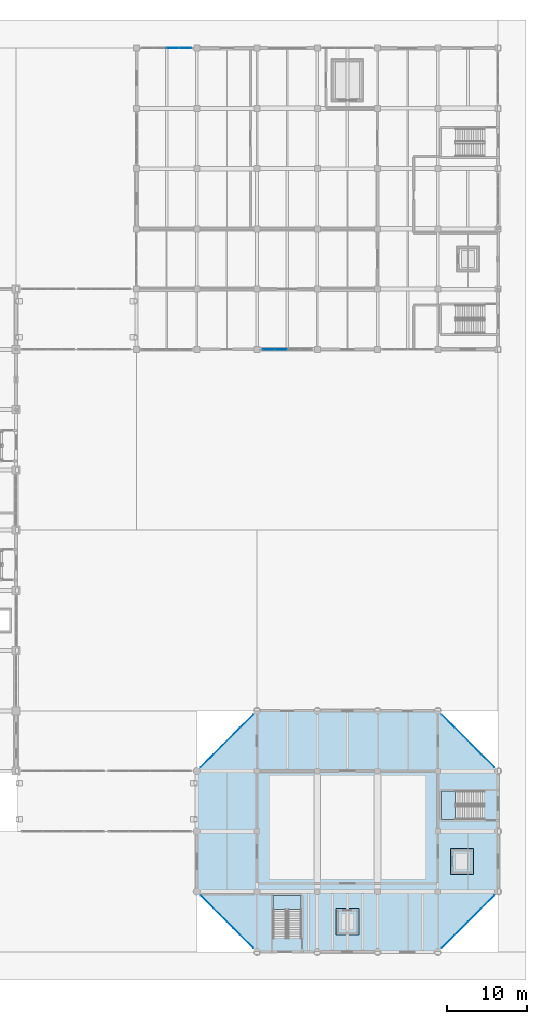
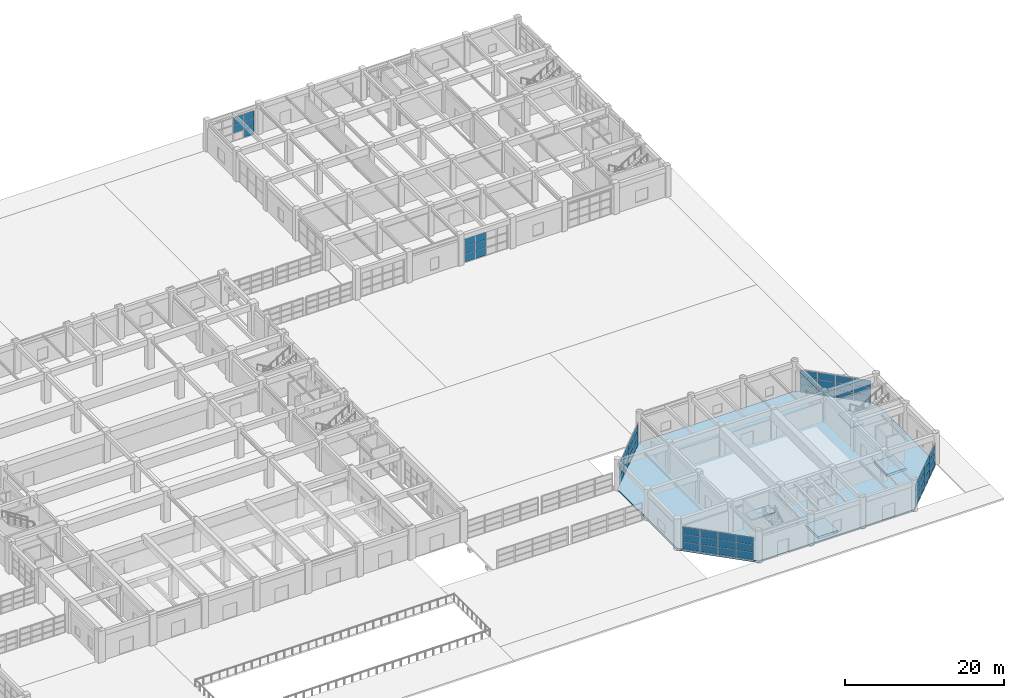
# One storey, part 79 of 122: 59 plates, 5 slabs, 8 elements without a shape of their own.
"""IFC4 building model written with IfcOpenShell, lengths in metres."""

from ifc_helpers import new_model, si_unit, direction, frame, origin, origin_2d, place, context, subcontext, project, spatial, polyline, rectangle, outline, extrude, material, layer, layer_set, type_object, element, aggregate, save


model = new_model("IFC4")

# Units and contexts
model_context = context("Model", 3, precision=1e-05, world=origin(), true_north=direction((0.0, 1.0)))
body_context = subcontext(model_context, "Body", "Model", "MODEL_VIEW")
ifc_project = project(units=[si_unit("LENGTHUNIT", "METRE"), si_unit("AREAUNIT", "SQUARE_METRE"), si_unit("VOLUMEUNIT", "CUBIC_METRE"), si_unit("PLANEANGLEUNIT", "RADIAN"), si_unit("MASSUNIT", "GRAM", prefix="KILO")], contexts=[model_context])

# Site, building, storey
site_placement = place(None, origin())
site = spatial("IfcSite", under=ifc_project, at=site_placement, CompositionType="ELEMENT")
building_placement = place(site_placement, origin())
building = spatial("IfcBuilding", under=site, at=building_placement, Name="Qasida Concert Hall", CompositionType="ELEMENT")
storey_placement = place(building_placement, origin())
storey = spatial("IfcBuildingStorey", under=building, at=storey_placement, Name="L00", CompositionType="ELEMENT", Elevation=0.0)

# Curtain wall, plates
ifc_material_1 = material(Name="Architectural bronze-anodized aluminium and low-E glass", Category="aluminium")
curtain_wall_type_1 = type_object("IfcCurtainWallType", Name="CW-07", PredefinedType="NOTDEFINED", material=ifc_material_1)
curtain_wall_1_placement = place(storey_placement, origin())
curtain_wall_1 = element("IfcCurtainWall", 1, at=curtain_wall_1_placement, inside=storey, type_object=curtain_wall_type_1, Name="L00 curtain wall CW-07 0139", PredefinedType="NOTDEFINED")
ifc_material_2 = material(Name="Solar-control low-E double glazing", Category="glass")
ifc_layer_1 = layer(ifc_material_2, 0.031982421875, Name="Solar-control low-E double glazing")
ifc_layer_set_1 = layer_set([ifc_layer_1], Name="Solar-control low-E double glazing")
plate_type = type_object("IfcPlateType", Name="PLT-CWP-2", PredefinedType="CURTAIN_PANEL", material=ifc_layer_set_1)
plate_1_placement = place(storey_placement, frame((158.77783203125, 1.27783203125, 0.06005859375), z_axis=(0.0, 0.0, 1.0), x_axis=(0.707106781187, 0.707106781187, 0.0)))
plate_1 = element("IfcPlate", 2, at=plate_1_placement, type_object=plate_type, Name="CW-07 panel 1.1", PredefinedType="CURTAIN_PANEL", context=body_context, shape_type="SweptSolid", body=[
    extrude(rectangle(XDim=2.244140625, YDim=0.031982421875, at=origin_2d()), origin(), (0.0, 0.0, 1.0), 1.050048828125),
])
plate_2_placement = place(storey_placement, frame((158.77783203125, 1.27783203125, 1.169921875), z_axis=(0.0, 0.0, 1.0), x_axis=(0.707106781187, 0.707106781187, 0.0)))
plate_2 = element("IfcPlate", 3, at=plate_2_placement, type_object=plate_type, Name="CW-07 panel 1.2", PredefinedType="CURTAIN_PANEL", context=body_context, shape_type="SweptSolid", body=[
    extrude(rectangle(XDim=2.244140625, YDim=0.031982421875, at=origin_2d()), origin(), (0.0, 0.0, 1.0), 1.080078125),
])
plate_3_placement = place(storey_placement, frame((158.77783203125, 1.27783203125, 2.31005859375), z_axis=(0.0, 0.0, 1.0), x_axis=(0.707106781187, 0.707106781187, 0.0)))
plate_3 = element("IfcPlate", 4, at=plate_3_placement, type_object=plate_type, Name="CW-07 panel 1.3", PredefinedType="CURTAIN_PANEL", context=body_context, shape_type="SweptSolid", body=[
    extrude(rectangle(XDim=2.244140625, YDim=0.031982421875, at=origin_2d()), origin(), (0.0, 0.0, 1.0), 1.050048828125),
])
plate_4_placement = place(storey_placement, frame((160.422119140625, 2.922119140625, 0.06005859375), z_axis=(0.0, 0.0, 1.0), x_axis=(0.707106781187, 0.707106781187, 0.0)))
plate_4 = element("IfcPlate", 5, at=plate_4_placement, type_object=plate_type, Name="CW-07 panel 2.1", PredefinedType="CURTAIN_PANEL", context=body_context, shape_type="SweptSolid", body=[
    extrude(rectangle(XDim=2.276611328125, YDim=0.031982421875, at=origin_2d()), origin(), (0.0, 0.0, 1.0), 1.050048828125),
])
plate_5_placement = place(storey_placement, frame((160.422119140625, 2.922119140625, 1.169921875), z_axis=(0.0, 0.0, 1.0), x_axis=(0.707106781187, 0.707106781187, 0.0)))
plate_5 = element("IfcPlate", 6, at=plate_5_placement, type_object=plate_type, Name="CW-07 panel 2.2", PredefinedType="CURTAIN_PANEL", context=body_context, shape_type="SweptSolid", body=[
    extrude(rectangle(XDim=2.276611328125, YDim=0.031982421875, at=origin_2d()), origin(), (0.0, 0.0, 1.0), 1.080078125),
])
plate_6_placement = place(storey_placement, frame((160.422119140625, 2.922119140625, 2.31005859375), z_axis=(0.0, 0.0, 1.0), x_axis=(0.707106781187, 0.707106781187, 0.0)))
plate_6 = element("IfcPlate", 7, at=plate_6_placement, type_object=plate_type, Name="CW-07 panel 2.3", PredefinedType="CURTAIN_PANEL", context=body_context, shape_type="SweptSolid", body=[
    extrude(rectangle(XDim=2.276611328125, YDim=0.031982421875, at=origin_2d()), origin(), (0.0, 0.0, 1.0), 1.050048828125),
])
plate_7_placement = place(storey_placement, frame((162.077880859375, 4.577880859375, 0.06005859375), z_axis=(0.0, 0.0, 1.0), x_axis=(0.707106781187, 0.707106781187, 0.0)))
plate_7 = element("IfcPlate", 8, at=plate_7_placement, type_object=plate_type, Name="CW-07 panel 3.1", PredefinedType="CURTAIN_PANEL", context=body_context, shape_type="SweptSolid", body=[
    extrude(rectangle(XDim=2.276611328125, YDim=0.031982421875, at=origin_2d()), origin(), (0.0, 0.0, 1.0), 1.050048828125),
])
plate_8_placement = place(storey_placement, frame((162.077880859375, 4.577880859375, 1.169921875), z_axis=(0.0, 0.0, 1.0), x_axis=(0.707106781187, 0.707106781187, 0.0)))
plate_8 = element("IfcPlate", 9, at=plate_8_placement, type_object=plate_type, Name="CW-07 panel 3.2", PredefinedType="CURTAIN_PANEL", context=body_context, shape_type="SweptSolid", body=[
    extrude(rectangle(XDim=2.276611328125, YDim=0.031982421875, at=origin_2d()), origin(), (0.0, 0.0, 1.0), 1.080078125),
])
plate_9_placement = place(storey_placement, frame((162.077880859375, 4.577880859375, 2.31005859375), z_axis=(0.0, 0.0, 1.0), x_axis=(0.707106781187, 0.707106781187, 0.0)))
plate_9 = element("IfcPlate", 10, at=plate_9_placement, type_object=plate_type, Name="CW-07 panel 3.3", PredefinedType="CURTAIN_PANEL", context=body_context, shape_type="SweptSolid", body=[
    extrude(rectangle(XDim=2.276611328125, YDim=0.031982421875, at=origin_2d()), origin(), (0.0, 0.0, 1.0), 1.050048828125),
])
plate_10_placement = place(storey_placement, frame((163.72216796875, 6.22216796875, 0.06005859375), z_axis=(0.0, 0.0, 1.0), x_axis=(0.707106781187, 0.707106781187, 0.0)))
plate_10 = element("IfcPlate", 11, at=plate_10_placement, type_object=plate_type, Name="CW-07 panel 4.1", PredefinedType="CURTAIN_PANEL", context=body_context, shape_type="SweptSolid", body=[
    extrude(rectangle(XDim=2.244140625, YDim=0.031982421875, at=origin_2d()), origin(), (0.0, 0.0, 1.0), 1.050048828125),
])
plate_11_placement = place(storey_placement, frame((163.72216796875, 6.22216796875, 1.169921875), z_axis=(0.0, 0.0, 1.0), x_axis=(0.707106781187, 0.707106781187, 0.0)))
plate_11 = element("IfcPlate", 12, at=plate_11_placement, type_object=plate_type, Name="CW-07 panel 4.2", PredefinedType="CURTAIN_PANEL", context=body_context, shape_type="SweptSolid", body=[
    extrude(rectangle(XDim=2.244140625, YDim=0.031982421875, at=origin_2d()), origin(), (0.0, 0.0, 1.0), 1.080078125),
])
plate_12_placement = place(storey_placement, frame((163.72216796875, 6.22216796875, 2.31005859375), z_axis=(0.0, 0.0, 1.0), x_axis=(0.707106781187, 0.707106781187, 0.0)))
plate_12 = element("IfcPlate", 13, at=plate_12_placement, type_object=plate_type, Name="CW-07 panel 4.3", PredefinedType="CURTAIN_PANEL", context=body_context, shape_type="SweptSolid", body=[
    extrude(rectangle(XDim=2.244140625, YDim=0.031982421875, at=origin_2d()), origin(), (0.0, 0.0, 1.0), 1.050048828125),
])
aggregate(curtain_wall_1, [plate_1, plate_2, plate_3, plate_4, plate_5, plate_6, plate_7, plate_8, plate_9, plate_10, plate_11, plate_12])

curtain_wall_2_placement = place(storey_placement, origin())
curtain_wall_2 = element("IfcCurtainWall", 14, at=curtain_wall_2_placement, inside=storey, type_object=curtain_wall_type_1, Name="L00 curtain wall CW-07 0140", PredefinedType="NOTDEFINED")
plate_13_placement = place(storey_placement, frame((163.72216796875, 23.77783203125, 0.06005859375), z_axis=(0.0, 0.0, 1.0), x_axis=(-0.707106781187, 0.707106781187, 0.0)))
plate_13 = element("IfcPlate", 15, at=plate_13_placement, type_object=plate_type, Name="CW-07 panel 1.1", PredefinedType="CURTAIN_PANEL", context=body_context, shape_type="SweptSolid", body=[
    extrude(rectangle(XDim=2.244140625, YDim=0.031982421875, at=origin_2d()), origin(), (0.0, 0.0, 1.0), 1.050048828125),
])
plate_14_placement = place(storey_placement, frame((163.72216796875, 23.77783203125, 1.169921875), z_axis=(0.0, 0.0, 1.0), x_axis=(-0.707106781187, 0.707106781187, 0.0)))
plate_14 = element("IfcPlate", 16, at=plate_14_placement, type_object=plate_type, Name="CW-07 panel 1.2", PredefinedType="CURTAIN_PANEL", context=body_context, shape_type="SweptSolid", body=[
    extrude(rectangle(XDim=2.244140625, YDim=0.031982421875, at=origin_2d()), origin(), (0.0, 0.0, 1.0), 1.080078125),
])
plate_15_placement = place(storey_placement, frame((163.72216796875, 23.77783203125, 2.31005859375), z_axis=(0.0, 0.0, 1.0), x_axis=(-0.707106781187, 0.707106781187, 0.0)))
plate_15 = element("IfcPlate", 17, at=plate_15_placement, type_object=plate_type, Name="CW-07 panel 1.3", PredefinedType="CURTAIN_PANEL", context=body_context, shape_type="SweptSolid", body=[
    extrude(rectangle(XDim=2.244140625, YDim=0.031982421875, at=origin_2d()), origin(), (0.0, 0.0, 1.0), 1.050048828125),
])
plate_16_placement = place(storey_placement, frame((162.077880859375, 25.422119140625, 0.06005859375), z_axis=(0.0, 0.0, 1.0), x_axis=(-0.707106781187, 0.707106781187, 0.0)))
plate_16 = element("IfcPlate", 18, at=plate_16_placement, type_object=plate_type, Name="CW-07 panel 2.1", PredefinedType="CURTAIN_PANEL", context=body_context, shape_type="SweptSolid", body=[
    extrude(rectangle(XDim=2.276611328125, YDim=0.031982421875, at=origin_2d()), origin(), (0.0, 0.0, 1.0), 1.050048828125),
])
plate_17_placement = place(storey_placement, frame((162.077880859375, 25.422119140625, 1.169921875), z_axis=(0.0, 0.0, 1.0), x_axis=(-0.707106781187, 0.707106781187, 0.0)))
plate_17 = element("IfcPlate", 19, at=plate_17_placement, type_object=plate_type, Name="CW-07 panel 2.2", PredefinedType="CURTAIN_PANEL", context=body_context, shape_type="SweptSolid", body=[
    extrude(rectangle(XDim=2.276611328125, YDim=0.031982421875, at=origin_2d()), origin(), (0.0, 0.0, 1.0), 1.080078125),
])
plate_18_placement = place(storey_placement, frame((162.077880859375, 25.422119140625, 2.31005859375), z_axis=(0.0, 0.0, 1.0), x_axis=(-0.707106781187, 0.707106781187, 0.0)))
plate_18 = element("IfcPlate", 20, at=plate_18_placement, type_object=plate_type, Name="CW-07 panel 2.3", PredefinedType="CURTAIN_PANEL", context=body_context, shape_type="SweptSolid", body=[
    extrude(rectangle(XDim=2.276611328125, YDim=0.031982421875, at=origin_2d()), origin(), (0.0, 0.0, 1.0), 1.050048828125),
])
plate_19_placement = place(storey_placement, frame((160.422119140625, 27.077880859375, 0.06005859375), z_axis=(0.0, 0.0, 1.0), x_axis=(-0.707106781187, 0.707106781187, 0.0)))
plate_19 = element("IfcPlate", 21, at=plate_19_placement, type_object=plate_type, Name="CW-07 panel 3.1", PredefinedType="CURTAIN_PANEL", context=body_context, shape_type="SweptSolid", body=[
    extrude(rectangle(XDim=2.276611328125, YDim=0.031982421875, at=origin_2d()), origin(), (0.0, 0.0, 1.0), 1.050048828125),
])
plate_20_placement = place(storey_placement, frame((160.422119140625, 27.077880859375, 1.169921875), z_axis=(0.0, 0.0, 1.0), x_axis=(-0.707106781187, 0.707106781187, 0.0)))
plate_20 = element("IfcPlate", 22, at=plate_20_placement, type_object=plate_type, Name="CW-07 panel 3.2", PredefinedType="CURTAIN_PANEL", context=body_context, shape_type="SweptSolid", body=[
    extrude(rectangle(XDim=2.276611328125, YDim=0.031982421875, at=origin_2d()), origin(), (0.0, 0.0, 1.0), 1.080078125),
])
plate_21_placement = place(storey_placement, frame((160.422119140625, 27.077880859375, 2.31005859375), z_axis=(0.0, 0.0, 1.0), x_axis=(-0.707106781187, 0.707106781187, 0.0)))
plate_21 = element("IfcPlate", 23, at=plate_21_placement, type_object=plate_type, Name="CW-07 panel 3.3", PredefinedType="CURTAIN_PANEL", context=body_context, shape_type="SweptSolid", body=[
    extrude(rectangle(XDim=2.276611328125, YDim=0.031982421875, at=origin_2d()), origin(), (0.0, 0.0, 1.0), 1.050048828125),
])
plate_22_placement = place(storey_placement, frame((158.77783203125, 28.72216796875, 0.06005859375), z_axis=(0.0, 0.0, 1.0), x_axis=(-0.707106781187, 0.707106781187, 0.0)))
plate_22 = element("IfcPlate", 24, at=plate_22_placement, type_object=plate_type, Name="CW-07 panel 4.1", PredefinedType="CURTAIN_PANEL", context=body_context, shape_type="SweptSolid", body=[
    extrude(rectangle(XDim=2.244140625, YDim=0.031982421875, at=origin_2d()), origin(), (0.0, 0.0, 1.0), 1.050048828125),
])
plate_23_placement = place(storey_placement, frame((158.77783203125, 28.72216796875, 1.169921875), z_axis=(0.0, 0.0, 1.0), x_axis=(-0.707106781187, 0.707106781187, 0.0)))
plate_23 = element("IfcPlate", 25, at=plate_23_placement, type_object=plate_type, Name="CW-07 panel 4.2", PredefinedType="CURTAIN_PANEL", context=body_context, shape_type="SweptSolid", body=[
    extrude(rectangle(XDim=2.244140625, YDim=0.031982421875, at=origin_2d()), origin(), (0.0, 0.0, 1.0), 1.080078125),
])
plate_24_placement = place(storey_placement, frame((158.77783203125, 28.72216796875, 2.31005859375), z_axis=(0.0, 0.0, 1.0), x_axis=(-0.707106781187, 0.707106781187, 0.0)))
plate_24 = element("IfcPlate", 26, at=plate_24_placement, type_object=plate_type, Name="CW-07 panel 4.3", PredefinedType="CURTAIN_PANEL", context=body_context, shape_type="SweptSolid", body=[
    extrude(rectangle(XDim=2.244140625, YDim=0.031982421875, at=origin_2d()), origin(), (0.0, 0.0, 1.0), 1.050048828125),
])
aggregate(curtain_wall_2, [plate_13, plate_14, plate_15, plate_16, plate_17, plate_18, plate_19, plate_20, plate_21, plate_22, plate_23, plate_24])

curtain_wall_3_placement = place(storey_placement, origin())
curtain_wall_3 = element("IfcCurtainWall", 27, at=curtain_wall_3_placement, inside=storey, type_object=curtain_wall_type_1, Name="L00 curtain wall CW-07 0141", PredefinedType="NOTDEFINED")
plate_25_placement = place(storey_placement, frame((133.72216796875, 28.72216796875, 0.06005859375), z_axis=(0.0, 0.0, 1.0), x_axis=(-0.707106781187, -0.707106781187, 0.0)))
plate_25 = element("IfcPlate", 28, at=plate_25_placement, type_object=plate_type, Name="CW-07 panel 1.1", PredefinedType="CURTAIN_PANEL", context=body_context, shape_type="SweptSolid", body=[
    extrude(rectangle(XDim=2.244140625, YDim=0.031982421875, at=origin_2d()), origin(), (0.0, 0.0, 1.0), 1.050048828125),
])
plate_26_placement = place(storey_placement, frame((133.72216796875, 28.72216796875, 1.169921875), z_axis=(0.0, 0.0, 1.0), x_axis=(-0.707106781187, -0.707106781187, 0.0)))
plate_26 = element("IfcPlate", 29, at=plate_26_placement, type_object=plate_type, Name="CW-07 panel 1.2", PredefinedType="CURTAIN_PANEL", context=body_context, shape_type="SweptSolid", body=[
    extrude(rectangle(XDim=2.244140625, YDim=0.031982421875, at=origin_2d()), origin(), (0.0, 0.0, 1.0), 1.080078125),
])
plate_27_placement = place(storey_placement, frame((133.72216796875, 28.72216796875, 2.31005859375), z_axis=(0.0, 0.0, 1.0), x_axis=(-0.707106781187, -0.707106781187, 0.0)))
plate_27 = element("IfcPlate", 30, at=plate_27_placement, type_object=plate_type, Name="CW-07 panel 1.3", PredefinedType="CURTAIN_PANEL", context=body_context, shape_type="SweptSolid", body=[
    extrude(rectangle(XDim=2.244140625, YDim=0.031982421875, at=origin_2d()), origin(), (0.0, 0.0, 1.0), 1.050048828125),
])
plate_28_placement = place(storey_placement, frame((132.077880859375, 27.077880859375, 0.06005859375), z_axis=(0.0, 0.0, 1.0), x_axis=(-0.707106781187, -0.707106781187, 0.0)))
plate_28 = element("IfcPlate", 31, at=plate_28_placement, type_object=plate_type, Name="CW-07 panel 2.1", PredefinedType="CURTAIN_PANEL", context=body_context, shape_type="SweptSolid", body=[
    extrude(rectangle(XDim=2.276611328125, YDim=0.031982421875, at=origin_2d()), origin(), (0.0, 0.0, 1.0), 1.050048828125),
])
plate_29_placement = place(storey_placement, frame((132.077880859375, 27.077880859375, 1.169921875), z_axis=(0.0, 0.0, 1.0), x_axis=(-0.707106781187, -0.707106781187, 0.0)))
plate_29 = element("IfcPlate", 32, at=plate_29_placement, type_object=plate_type, Name="CW-07 panel 2.2", PredefinedType="CURTAIN_PANEL", context=body_context, shape_type="SweptSolid", body=[
    extrude(rectangle(XDim=2.276611328125, YDim=0.031982421875, at=origin_2d()), origin(), (0.0, 0.0, 1.0), 1.080078125),
])
plate_30_placement = place(storey_placement, frame((132.077880859375, 27.077880859375, 2.31005859375), z_axis=(0.0, 0.0, 1.0), x_axis=(-0.707106781187, -0.707106781187, 0.0)))
plate_30 = element("IfcPlate", 33, at=plate_30_placement, type_object=plate_type, Name="CW-07 panel 2.3", PredefinedType="CURTAIN_PANEL", context=body_context, shape_type="SweptSolid", body=[
    extrude(rectangle(XDim=2.276611328125, YDim=0.031982421875, at=origin_2d()), origin(), (0.0, 0.0, 1.0), 1.050048828125),
])
plate_31_placement = place(storey_placement, frame((130.422119140625, 25.422119140625, 0.06005859375), z_axis=(0.0, 0.0, 1.0), x_axis=(-0.707106781187, -0.707106781187, 0.0)))
plate_31 = element("IfcPlate", 34, at=plate_31_placement, type_object=plate_type, Name="CW-07 panel 3.1", PredefinedType="CURTAIN_PANEL", context=body_context, shape_type="SweptSolid", body=[
    extrude(rectangle(XDim=2.276611328125, YDim=0.031982421875, at=origin_2d()), origin(), (0.0, 0.0, 1.0), 1.050048828125),
])
plate_32_placement = place(storey_placement, frame((130.422119140625, 25.422119140625, 1.169921875), z_axis=(0.0, 0.0, 1.0), x_axis=(-0.707106781187, -0.707106781187, 0.0)))
plate_32 = element("IfcPlate", 35, at=plate_32_placement, type_object=plate_type, Name="CW-07 panel 3.2", PredefinedType="CURTAIN_PANEL", context=body_context, shape_type="SweptSolid", body=[
    extrude(rectangle(XDim=2.276611328125, YDim=0.031982421875, at=origin_2d()), origin(), (0.0, 0.0, 1.0), 1.080078125),
])
plate_33_placement = place(storey_placement, frame((130.422119140625, 25.422119140625, 2.31005859375), z_axis=(0.0, 0.0, 1.0), x_axis=(-0.707106781187, -0.707106781187, 0.0)))
plate_33 = element("IfcPlate", 36, at=plate_33_placement, type_object=plate_type, Name="CW-07 panel 3.3", PredefinedType="CURTAIN_PANEL", context=body_context, shape_type="SweptSolid", body=[
    extrude(rectangle(XDim=2.276611328125, YDim=0.031982421875, at=origin_2d()), origin(), (0.0, 0.0, 1.0), 1.050048828125),
])
plate_34_placement = place(storey_placement, frame((128.77783203125, 23.77783203125, 0.06005859375), z_axis=(0.0, 0.0, 1.0), x_axis=(-0.707106781187, -0.707106781187, 0.0)))
plate_34 = element("IfcPlate", 37, at=plate_34_placement, type_object=plate_type, Name="CW-07 panel 4.1", PredefinedType="CURTAIN_PANEL", context=body_context, shape_type="SweptSolid", body=[
    extrude(rectangle(XDim=2.244140625, YDim=0.031982421875, at=origin_2d()), origin(), (0.0, 0.0, 1.0), 1.050048828125),
])
plate_35_placement = place(storey_placement, frame((128.77783203125, 23.77783203125, 1.169921875), z_axis=(0.0, 0.0, 1.0), x_axis=(-0.707106781187, -0.707106781187, 0.0)))
plate_35 = element("IfcPlate", 38, at=plate_35_placement, type_object=plate_type, Name="CW-07 panel 4.2", PredefinedType="CURTAIN_PANEL", context=body_context, shape_type="SweptSolid", body=[
    extrude(rectangle(XDim=2.244140625, YDim=0.031982421875, at=origin_2d()), origin(), (0.0, 0.0, 1.0), 1.080078125),
])
plate_36_placement = place(storey_placement, frame((128.77783203125, 23.77783203125, 2.31005859375), z_axis=(0.0, 0.0, 1.0), x_axis=(-0.707106781187, -0.707106781187, 0.0)))
plate_36 = element("IfcPlate", 39, at=plate_36_placement, type_object=plate_type, Name="CW-07 panel 4.3", PredefinedType="CURTAIN_PANEL", context=body_context, shape_type="SweptSolid", body=[
    extrude(rectangle(XDim=2.244140625, YDim=0.031982421875, at=origin_2d()), origin(), (0.0, 0.0, 1.0), 1.050048828125),
])
aggregate(curtain_wall_3, [plate_25, plate_26, plate_27, plate_28, plate_29, plate_30, plate_31, plate_32, plate_33, plate_34, plate_35, plate_36])

curtain_wall_4_placement = place(storey_placement, origin())
curtain_wall_4 = element("IfcCurtainWall", 40, at=curtain_wall_4_placement, inside=storey, type_object=curtain_wall_type_1, Name="L00 curtain wall CW-07 0142", PredefinedType="NOTDEFINED")
plate_37_placement = place(storey_placement, frame((128.77783203125, 6.22216796875, 0.06005859375), z_axis=(0.0, 0.0, 1.0), x_axis=(0.707106781187, -0.707106781187, 0.0)))
plate_37 = element("IfcPlate", 41, at=plate_37_placement, type_object=plate_type, Name="CW-07 panel 1.1", PredefinedType="CURTAIN_PANEL", context=body_context, shape_type="SweptSolid", body=[
    extrude(rectangle(XDim=2.244140625, YDim=0.031982421875, at=origin_2d()), origin(), (0.0, 0.0, 1.0), 1.083251953125),
])
plate_38_placement = place(storey_placement, frame((128.77783203125, 6.22216796875, 1.203369140625), z_axis=(0.0, 0.0, 1.0), x_axis=(0.707106781187, -0.707106781187, 0.0)))
plate_38 = element("IfcPlate", 42, at=plate_38_placement, type_object=plate_type, Name="CW-07 panel 1.2", PredefinedType="CURTAIN_PANEL", context=body_context, shape_type="SweptSolid", body=[
    extrude(rectangle(XDim=2.244140625, YDim=0.031982421875, at=origin_2d()), origin(), (0.0, 0.0, 1.0), 1.11328125),
])
plate_39_placement = place(storey_placement, frame((128.77783203125, 6.22216796875, 2.376953125), z_axis=(0.0, 0.0, 1.0), x_axis=(0.707106781187, -0.707106781187, 0.0)))
plate_39 = element("IfcPlate", 43, at=plate_39_placement, type_object=plate_type, Name="CW-07 panel 1.3", PredefinedType="CURTAIN_PANEL", context=body_context, shape_type="SweptSolid", body=[
    extrude(rectangle(XDim=2.244140625, YDim=0.031982421875, at=origin_2d()), origin(), (0.0, 0.0, 1.0), 1.083251953125),
])
plate_40_placement = place(storey_placement, frame((130.422119140625, 4.577880859375, 0.06005859375), z_axis=(0.0, 0.0, 1.0), x_axis=(0.707106781187, -0.707106781187, 0.0)))
plate_40 = element("IfcPlate", 44, at=plate_40_placement, type_object=plate_type, Name="CW-07 panel 2.1", PredefinedType="CURTAIN_PANEL", context=body_context, shape_type="SweptSolid", body=[
    extrude(rectangle(XDim=2.276611328125, YDim=0.031982421875, at=origin_2d()), origin(), (0.0, 0.0, 1.0), 1.083251953125),
])
plate_41_placement = place(storey_placement, frame((130.422119140625, 4.577880859375, 1.203369140625), z_axis=(0.0, 0.0, 1.0), x_axis=(0.707106781187, -0.707106781187, 0.0)))
plate_41 = element("IfcPlate", 45, at=plate_41_placement, type_object=plate_type, Name="CW-07 panel 2.2", PredefinedType="CURTAIN_PANEL", context=body_context, shape_type="SweptSolid", body=[
    extrude(rectangle(XDim=2.276611328125, YDim=0.031982421875, at=origin_2d()), origin(), (0.0, 0.0, 1.0), 1.11328125),
])
plate_42_placement = place(storey_placement, frame((130.422119140625, 4.577880859375, 2.376953125), z_axis=(0.0, 0.0, 1.0), x_axis=(0.707106781187, -0.707106781187, 0.0)))
plate_42 = element("IfcPlate", 46, at=plate_42_placement, type_object=plate_type, Name="CW-07 panel 2.3", PredefinedType="CURTAIN_PANEL", context=body_context, shape_type="SweptSolid", body=[
    extrude(rectangle(XDim=2.276611328125, YDim=0.031982421875, at=origin_2d()), origin(), (0.0, 0.0, 1.0), 1.083251953125),
])
plate_43_placement = place(storey_placement, frame((132.077880859375, 2.922119140625, 0.06005859375), z_axis=(0.0, 0.0, 1.0), x_axis=(0.707106781187, -0.707106781187, 0.0)))
plate_43 = element("IfcPlate", 47, at=plate_43_placement, type_object=plate_type, Name="CW-07 panel 3.1", PredefinedType="CURTAIN_PANEL", context=body_context, shape_type="SweptSolid", body=[
    extrude(rectangle(XDim=2.276611328125, YDim=0.031982421875, at=origin_2d()), origin(), (0.0, 0.0, 1.0), 1.083251953125),
])
plate_44_placement = place(storey_placement, frame((132.077880859375, 2.922119140625, 1.203369140625), z_axis=(0.0, 0.0, 1.0), x_axis=(0.707106781187, -0.707106781187, 0.0)))
plate_44 = element("IfcPlate", 48, at=plate_44_placement, type_object=plate_type, Name="CW-07 panel 3.2", PredefinedType="CURTAIN_PANEL", context=body_context, shape_type="SweptSolid", body=[
    extrude(rectangle(XDim=2.276611328125, YDim=0.031982421875, at=origin_2d()), origin(), (0.0, 0.0, 1.0), 1.11328125),
])
plate_45_placement = place(storey_placement, frame((132.077880859375, 2.922119140625, 2.376953125), z_axis=(0.0, 0.0, 1.0), x_axis=(0.707106781187, -0.707106781187, 0.0)))
plate_45 = element("IfcPlate", 49, at=plate_45_placement, type_object=plate_type, Name="CW-07 panel 3.3", PredefinedType="CURTAIN_PANEL", context=body_context, shape_type="SweptSolid", body=[
    extrude(rectangle(XDim=2.276611328125, YDim=0.031982421875, at=origin_2d()), origin(), (0.0, 0.0, 1.0), 1.083251953125),
])
plate_46_placement = place(storey_placement, frame((133.72216796875, 1.27783203125, 0.06005859375), z_axis=(0.0, 0.0, 1.0), x_axis=(0.707106781187, -0.707106781187, 0.0)))
plate_46 = element("IfcPlate", 50, at=plate_46_placement, type_object=plate_type, Name="CW-07 panel 4.1", PredefinedType="CURTAIN_PANEL", context=body_context, shape_type="SweptSolid", body=[
    extrude(rectangle(XDim=2.244140625, YDim=0.031982421875, at=origin_2d()), origin(), (0.0, 0.0, 1.0), 1.083251953125),
])
plate_47_placement = place(storey_placement, frame((133.72216796875, 1.27783203125, 1.203369140625), z_axis=(0.0, 0.0, 1.0), x_axis=(0.707106781187, -0.707106781187, 0.0)))
plate_47 = element("IfcPlate", 51, at=plate_47_placement, type_object=plate_type, Name="CW-07 panel 4.2", PredefinedType="CURTAIN_PANEL", context=body_context, shape_type="SweptSolid", body=[
    extrude(rectangle(XDim=2.244140625, YDim=0.031982421875, at=origin_2d()), origin(), (0.0, 0.0, 1.0), 1.11328125),
])
plate_48_placement = place(storey_placement, frame((133.72216796875, 1.27783203125, 2.376953125), z_axis=(0.0, 0.0, 1.0), x_axis=(0.707106781187, -0.707106781187, 0.0)))
plate_48 = element("IfcPlate", 52, at=plate_48_placement, type_object=plate_type, Name="CW-07 panel 4.3", PredefinedType="CURTAIN_PANEL", context=body_context, shape_type="SweptSolid", body=[
    extrude(rectangle(XDim=2.244140625, YDim=0.031982421875, at=origin_2d()), origin(), (0.0, 0.0, 1.0), 1.083251953125),
])
aggregate(curtain_wall_4, [plate_37, plate_38, plate_39, plate_40, plate_41, plate_42, plate_43, plate_44, plate_45, plate_46, plate_47, plate_48])

curtain_wall_type_2 = type_object("IfcCurtainWallType", Name="CW-04", PredefinedType="NOTDEFINED", material=ifc_material_1)
curtain_wall_5_placement = place(storey_placement, origin())
curtain_wall_5 = element("IfcCurtainWall", 53, at=curtain_wall_5_placement, inside=storey, type_object=curtain_wall_type_2, Name="L00 curtain wall CW-04 0152", PredefinedType="NOTDEFINED")
plate_49_placement = place(storey_placement, frame((124.532470703125, 112.5, 1.27001953125), z_axis=(0.0, 0.0, 1.0), x_axis=(1.0, 0.0, 0.0)))
plate_49 = element("IfcPlate", 54, at=plate_49_placement, type_object=plate_type, Name="CW-04 panel 3.2", PredefinedType="CURTAIN_PANEL", context=body_context, shape_type="SweptSolid", body=[
    extrude(rectangle(XDim=1.5, YDim=0.031982421875, at=origin_2d()), origin(), (0.0, 0.0, 1.0), 1.179931640625),
])
plate_50_placement = place(storey_placement, frame((124.532470703125, 112.5, 2.510009765625), z_axis=(0.0, 0.0, 1.0), x_axis=(1.0, 0.0, 0.0)))
plate_50 = element("IfcPlate", 55, at=plate_50_placement, type_object=plate_type, Name="CW-04 panel 3.3", PredefinedType="CURTAIN_PANEL", context=body_context, shape_type="SweptSolid", body=[
    extrude(rectangle(XDim=1.5, YDim=0.031982421875, at=origin_2d()), origin(), (0.0, 0.0, 1.0), 1.14990234375),
])
plate_51_placement = place(storey_placement, frame((126.081298828125, 112.5, 0.06005859375), z_axis=(0.0, 0.0, 1.0), x_axis=(1.0, 0.0, 0.0)))
plate_51 = element("IfcPlate", 56, at=plate_51_placement, type_object=plate_type, Name="CW-04 panel 4.1", PredefinedType="CURTAIN_PANEL", context=body_context, shape_type="SweptSolid", body=[
    extrude(rectangle(XDim=1.467529296875, YDim=0.031982421875, at=origin_2d()), origin(), (0.0, 0.0, 1.0), 1.14990234375),
])
plate_52_placement = place(storey_placement, frame((126.081298828125, 112.5, 1.27001953125), z_axis=(0.0, 0.0, 1.0), x_axis=(1.0, 0.0, 0.0)))
plate_52 = element("IfcPlate", 57, at=plate_52_placement, type_object=plate_type, Name="CW-04 panel 4.2", PredefinedType="CURTAIN_PANEL", context=body_context, shape_type="SweptSolid", body=[
    extrude(rectangle(XDim=1.467529296875, YDim=0.031982421875, at=origin_2d()), origin(), (0.0, 0.0, 1.0), 1.179931640625),
])
plate_53_placement = place(storey_placement, frame((126.081298828125, 112.5, 2.510009765625), z_axis=(0.0, 0.0, 1.0), x_axis=(1.0, 0.0, 0.0)))
plate_53 = element("IfcPlate", 58, at=plate_53_placement, type_object=plate_type, Name="CW-04 panel 4.3", PredefinedType="CURTAIN_PANEL", context=body_context, shape_type="SweptSolid", body=[
    extrude(rectangle(XDim=1.467529296875, YDim=0.031982421875, at=origin_2d()), origin(), (0.0, 0.0, 1.0), 1.14990234375),
])
aggregate(curtain_wall_5, [plate_49, plate_50, plate_51, plate_52, plate_53])

curtain_wall_type_3 = type_object("IfcCurtainWallType", Name="CW-03", PredefinedType="NOTDEFINED", material=ifc_material_1)
curtain_wall_6_placement = place(storey_placement, origin())
curtain_wall_6 = element("IfcCurtainWall", 59, at=curtain_wall_6_placement, inside=storey, type_object=curtain_wall_type_3, Name="L00 curtain wall CW-03 0153", PredefinedType="NOTDEFINED")
plate_54_placement = place(storey_placement, frame((136.418701171875, 75.0, 0.06005859375), z_axis=(0.0, 0.0, 1.0), x_axis=(1.0, 0.0, 0.0)))
plate_54 = element("IfcPlate", 60, at=plate_54_placement, type_object=plate_type, Name="CW-03 panel 1.1", PredefinedType="CURTAIN_PANEL", context=body_context, shape_type="SweptSolid", body=[
    extrude(rectangle(XDim=1.467529296875, YDim=0.031982421875, at=origin_2d()), origin(), (0.0, 0.0, 1.0), 1.14990234375),
])
plate_55_placement = place(storey_placement, frame((136.418701171875, 75.0, 1.27001953125), z_axis=(0.0, 0.0, 1.0), x_axis=(1.0, 0.0, 0.0)))
plate_55 = element("IfcPlate", 61, at=plate_55_placement, type_object=plate_type, Name="CW-03 panel 1.2", PredefinedType="CURTAIN_PANEL", context=body_context, shape_type="SweptSolid", body=[
    extrude(rectangle(XDim=1.467529296875, YDim=0.031982421875, at=origin_2d()), origin(), (0.0, 0.0, 1.0), 1.179931640625),
])
plate_56_placement = place(storey_placement, frame((136.418701171875, 75.0, 2.510009765625), z_axis=(0.0, 0.0, 1.0), x_axis=(1.0, 0.0, 0.0)))
plate_56 = element("IfcPlate", 62, at=plate_56_placement, type_object=plate_type, Name="CW-03 panel 1.3", PredefinedType="CURTAIN_PANEL", context=body_context, shape_type="SweptSolid", body=[
    extrude(rectangle(XDim=1.467529296875, YDim=0.031982421875, at=origin_2d()), origin(), (0.0, 0.0, 1.0), 1.14990234375),
])
plate_57_placement = place(storey_placement, frame((137.967529296875, 75.0, 0.06005859375), z_axis=(0.0, 0.0, 1.0), x_axis=(1.0, 0.0, 0.0)))
plate_57 = element("IfcPlate", 63, at=plate_57_placement, type_object=plate_type, Name="CW-03 panel 2.1", PredefinedType="CURTAIN_PANEL", context=body_context, shape_type="SweptSolid", body=[
    extrude(rectangle(XDim=1.5, YDim=0.031982421875, at=origin_2d()), origin(), (0.0, 0.0, 1.0), 1.14990234375),
])
plate_58_placement = place(storey_placement, frame((137.967529296875, 75.0, 1.27001953125), z_axis=(0.0, 0.0, 1.0), x_axis=(1.0, 0.0, 0.0)))
plate_58 = element("IfcPlate", 64, at=plate_58_placement, type_object=plate_type, Name="CW-03 panel 2.2", PredefinedType="CURTAIN_PANEL", context=body_context, shape_type="SweptSolid", body=[
    extrude(rectangle(XDim=1.5, YDim=0.031982421875, at=origin_2d()), origin(), (0.0, 0.0, 1.0), 1.179931640625),
])
plate_59_placement = place(storey_placement, frame((137.967529296875, 75.0, 2.510009765625), z_axis=(0.0, 0.0, 1.0), x_axis=(1.0, 0.0, 0.0)))
plate_59 = element("IfcPlate", 65, at=plate_59_placement, type_object=plate_type, Name="CW-03 panel 2.3", PredefinedType="CURTAIN_PANEL", context=body_context, shape_type="SweptSolid", body=[
    extrude(rectangle(XDim=1.5, YDim=0.031982421875, at=origin_2d()), origin(), (0.0, 0.0, 1.0), 1.14990234375),
])
aggregate(curtain_wall_6, [plate_54, plate_55, plate_56, plate_57, plate_58, plate_59])

# Slabs
ifc_material_3 = material(Name="Concrete C40/50", Category="concrete")
ifc_layer_2 = layer(ifc_material_3, 0.3798828125, Name="Concrete C40/50")
ifc_layer_set_2 = layer_set([ifc_layer_2], Name="Concrete C40/50")
slab_type_1 = type_object("IfcSlabType", Name="SL-BS-380", PredefinedType="BASESLAB", material=ifc_layer_set_2)
slab_1_placement = place(storey_placement, frame((0.0, 0.0, -1.39990234375)))
element("IfcSlab", 66, at=slab_1_placement, inside=storey, type_object=slab_type_1, Name="Lift pit slab LF-11", PredefinedType="BASESLAB", context=body_context, shape_type="SweptSolid", body=[
    extrude(outline(polyline([(144.830078125, 2.1298828125), (147.669921875, 2.1298828125), (147.669921875, 5.3701171875), (144.830078125, 5.3701171875), (144.830078125, 2.1298828125)])), origin(), (0.0, 0.0, 1.0), 0.3798828125),
])
slab_2_placement = place(storey_placement, frame((0.0, 0.0, -1.39990234375)))
element("IfcSlab", 67, at=slab_2_placement, inside=storey, type_object=slab_type_1, Name="Lift pit slab LF-12", PredefinedType="BASESLAB", context=body_context, shape_type="SweptSolid", body=[
    extrude(outline(polyline([(159.080078125, 9.6298828125), (161.919921875, 9.6298828125), (161.919921875, 12.8701171875), (159.080078125, 12.8701171875), (159.080078125, 9.6298828125)])), origin(), (0.0, 0.0, 1.0), 0.3798828125),
])
ifc_layer_3 = layer(ifc_material_3, 0.280029296875, Name="Concrete C40/50")
ifc_layer_set_3 = layer_set([ifc_layer_3], Name="Concrete C40/50")
slab_type_2 = type_object("IfcSlabType", Name="SL-FS-280", PredefinedType="FLOOR", material=ifc_layer_set_3)
slab_3_placement = place(storey_placement, frame((0.0, 0.0, -0.280029296875)))
element("IfcSlab", 68, at=slab_3_placement, inside=storey, type_object=slab_type_2, Name="V2 chamber parterre (FS-280)", PredefinedType="FLOOR", context=body_context, shape_type="SweptSolid", body=[
    extrude(outline(polyline([(135.0, 0.0), (157.5, 0.0), (165.0, 7.5), (165.0, 22.5), (157.5, 30.0), (135.0, 30.0), (127.5, 22.5), (127.5, 7.5), (135.0, 0.0)])), origin(), (0.0, 0.0, 1.0), 0.280029296875),
])

# Stair, slab
stair_type = type_object("IfcStairType", Name="ST-DL-165", PredefinedType="HALF_TURN_STAIR", material=ifc_material_3)
stair_1_placement = place(storey_placement, origin())
stair_1 = element("IfcStair", 69, at=stair_1_placement, inside=storey, type_object=stair_type, Name="L00 Exit stair ST-09", PredefinedType="HALF_TURN_STAIR")
ifc_layer_4 = layer(ifc_material_3, 0.199951171875, Name="Concrete C40/50")
ifc_layer_set_4 = layer_set([ifc_layer_4], Name="Concrete C40/50")
slab_type_3 = type_object("IfcSlabType", Name="SL-LND-200", PredefinedType="LANDING", material=ifc_layer_set_4)
slab_4_placement = place(storey_placement, frame((0.0, 0.0, 2.199951171875)))
slab_4 = element("IfcSlab", 70, at=slab_4_placement, type_object=slab_type_3, Name="ST-09 landing 1", PredefinedType="LANDING", context=body_context, shape_type="SweptSolid", body=[
    extrude(outline(polyline([(140.5, 5.2900390625), (140.5, 7.02001953125), (137.0, 7.02001953125), (137.0, 5.2900390625), (140.5, 5.2900390625)])), origin(), (0.0, 0.0, 1.0), 0.199951171875),
])
aggregate(stair_1, [slab_4])

stair_2_placement = place(storey_placement, origin())
stair_2 = element("IfcStair", 71, at=stair_2_placement, inside=storey, type_object=stair_type, Name="L00 Exit stair ST-10", PredefinedType="HALF_TURN_STAIR")
slab_5_placement = place(storey_placement, frame((0.0, 0.0, 2.199951171875)))
slab_5 = element("IfcSlab", 72, at=slab_5_placement, type_object=slab_type_3, Name="ST-10 landing 1", PredefinedType="LANDING", context=body_context, shape_type="SweptSolid", body=[
    extrude(outline(polyline([(159.7099609375, 20.0), (157.97998046875, 20.0), (157.97998046875, 16.5), (159.7099609375, 16.5), (159.7099609375, 20.0)])), origin(), (0.0, 0.0, 1.0), 0.199951171875),
])
aggregate(stair_2, [slab_5])

save(model, "model.ifc")
